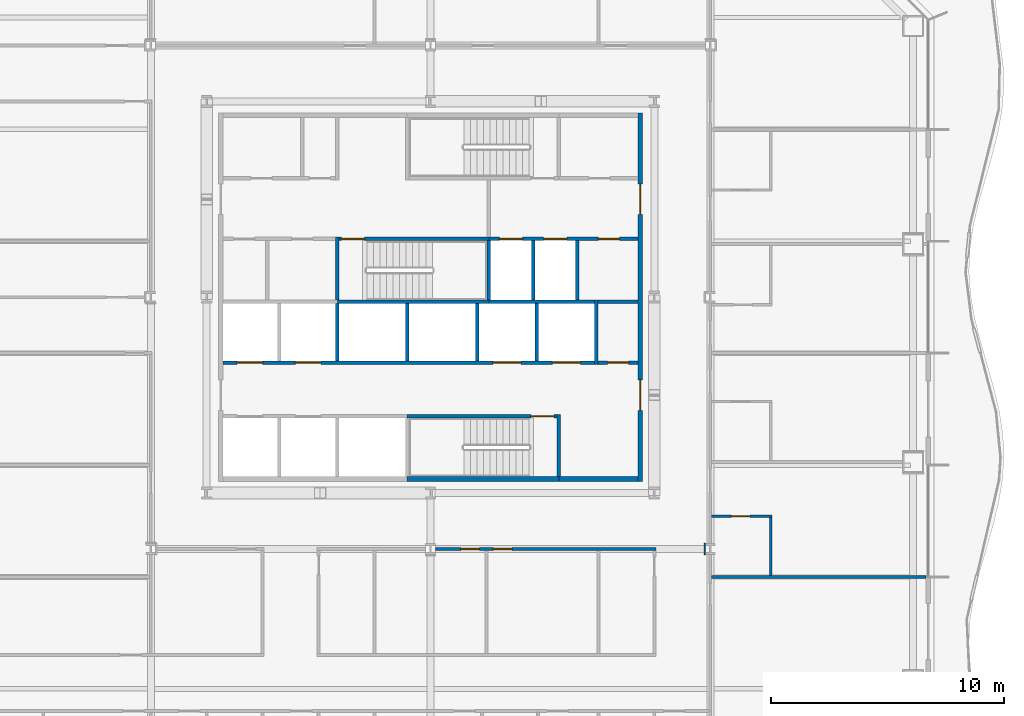
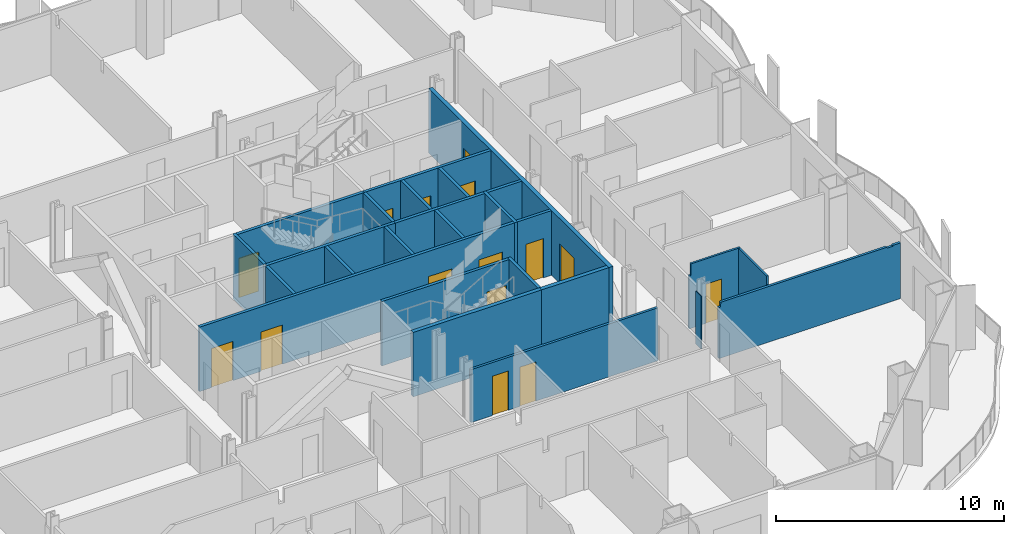
# One storey, part 10 of 20: 26 walls, 15 doors, 15 openings.
"""IFC4 building model written with IfcOpenShell, lengths in metres."""

from ifc_helpers import new_model, si_unit, direction, frame, frame_2d, origin, place, context, subcontext, project, spatial, polyline, rectangle, outline, extrude, material, layer, layer_set, type_object, element, fill, save


model = new_model("IFC4")

# Units and contexts
model_context = context("Model", 3, precision=1e-05, world=origin(), true_north=direction((0.0, 1.0)))
body_context = subcontext(model_context, "Body", "Model", "MODEL_VIEW")
ifc_project = project(units=[si_unit("LENGTHUNIT", "METRE"), si_unit("AREAUNIT", "SQUARE_METRE"), si_unit("VOLUMEUNIT", "CUBIC_METRE"), si_unit("PLANEANGLEUNIT", "RADIAN"), si_unit("MASSUNIT", "GRAM", prefix="KILO")], contexts=[model_context])

# Site, building, storey
site_placement = place(None, origin())
site = spatial("IfcSite", under=ifc_project, at=site_placement, CompositionType="ELEMENT")
building_placement = place(site_placement, origin())
building = spatial("IfcBuilding", under=site, at=building_placement, Name="Cairn Pilgrim Tower", CompositionType="ELEMENT")
storey_placement = place(building_placement, frame((0.0, 0.0, 83.39990234375)))
storey = spatial("IfcBuildingStorey", under=building, at=storey_placement, Name="L19", CompositionType="ELEMENT", Elevation=83.39990234375)

# Wall
ifc_material_1 = material(Name="Concrete C32/40", Category="concrete")
ifc_layer_1 = layer(ifc_material_1, 0.199951171875)
ifc_layer_set_1 = layer_set([ifc_layer_1], Name="CORE OUTER WALL 200 EI 120")
wall_type_1 = type_object("IfcWallType", Name="CORE OUTER WALL 200 EI 120", PredefinedType="SOLIDWALL", material=ifc_layer_set_1)
wall_1_placement = place(storey_placement, frame((12.699951171875, -5.39990234375, 0.0), z_axis=(0.0, 0.0, 1.0), x_axis=(1.0, 0.0, 0.0)))
element("IfcWall", 1, at=wall_1_placement, inside=storey, type_object=wall_type_1, Name="CW:L19:H01-3", PredefinedType="SOLIDWALL", context=body_context, shape_type="SweptSolid", body=[
    extrude(rectangle(XDim=3.400146484375, YDim=0.199951171875, at=frame_2d((1.7001953125, 0.0))), origin(), (0.0, 0.0, 1.0), 3.4501953125),
])

# Wall, openings, doors
wall_2_placement = place(storey_placement, frame((16.199951171875, -5.5, 0.0), z_axis=(0.0, 0.0, 1.0), x_axis=(0.0, 1.0, 0.0)))
wall_2 = element("IfcWall", 2, at=wall_2_placement, inside=storey, type_object=wall_type_1, Name="CW:L19:V33", PredefinedType="SOLIDWALL", context=body_context, shape_type="SweptSolid", body=[
    extrude(rectangle(XDim=15.800048828125, YDim=0.199951171875, at=frame_2d((7.89990234375, 0.0))), origin(), (0.0, 0.0, 1.0), 3.4501953125),
])
opening_1_placement = place(wall_2_placement, frame((3.050048828125, 0.0, 0.0)))
opening_1 = element("IfcOpeningElement", 3, at=opening_1_placement, cuts=wall_2, Name="Opening CD-E1", PredefinedType="OPENING", context=body_context, shape_type="SweptSolid", body=[
    extrude(rectangle(XDim=1.300048828125, YDim=2.10009765625, at=frame_2d((0.64990234375, 1.050048828125))), frame((0.0, 0.10986328125, 0.0), z_axis=(0.0, -1.0, 0.0), x_axis=(1.0, 0.0, 0.0)), (0.0, 0.0, 1.0), 0.219970703125),
])
opening_2_placement = place(wall_2_placement, frame((11.449951171875, 0.0, 0.0)))
opening_2 = element("IfcOpeningElement", 4, at=opening_2_placement, cuts=wall_2, Name="Opening CD-E2", PredefinedType="OPENING", context=body_context, shape_type="SweptSolid", body=[
    extrude(rectangle(XDim=1.300048828125, YDim=2.10009765625, at=frame_2d((0.64990234375, 1.050048828125))), frame((0.0, 0.10986328125, 0.0), z_axis=(0.0, -1.0, 0.0), x_axis=(1.0, 0.0, 0.0)), (0.0, 0.0, 1.0), 0.219970703125),
])
ifc_material_2 = material(Name="Painted steel", Category="steel")
door_type_1 = type_object("IfcDoorType", Name="CORE LOBBY DOOR 1300x2100", OperationType="DOUBLE_DOOR_SINGLE_SWING", PredefinedType="DOOR", material=ifc_material_2)
door_1_placement = place(opening_1_placement, origin())
door_1 = element("IfcDoor", 5, at=door_1_placement, inside=storey, type_object=door_type_1, Name="CD-E1", OperationType="DOUBLE_DOOR_SINGLE_SWING", OverallHeight=2.10009765625, OverallWidth=1.300048828125, PredefinedType="DOOR", context=body_context, shape_type="SweptSolid", body=[
    extrude(rectangle(XDim=1.300048828125, YDim=2.10009765625, at=frame_2d((0.64990234375, 1.050048828125))), frame((0.0, 0.02490234375, 0.0), z_axis=(0.0, -1.0, 0.0), x_axis=(1.0, 0.0, 0.0)), (0.0, 0.0, 1.0), 0.050048828125),
])
fill(opening_1, door_1)
door_2_placement = place(opening_2_placement, origin())
door_2 = element("IfcDoor", 6, at=door_2_placement, inside=storey, type_object=door_type_1, Name="CD-E2", OperationType="DOUBLE_DOOR_SINGLE_SWING", OverallHeight=2.10009765625, OverallWidth=1.300048828125, PredefinedType="DOOR", context=body_context, shape_type="SweptSolid", body=[
    extrude(rectangle(XDim=1.300048828125, YDim=2.10009765625, at=frame_2d((0.64990234375, 1.050048828125))), frame((0.0, 0.02490234375, 0.0), z_axis=(0.0, -1.0, 0.0), x_axis=(1.0, 0.0, 0.0)), (0.0, 0.0, 1.0), 0.050048828125),
])
fill(opening_2, door_2)

# Wall, opening, door
ifc_layer_2 = layer(ifc_material_1, 0.14990234375)
ifc_layer_set_2 = layer_set([ifc_layer_2], Name="CORE PARTITION 150 EI 60")
wall_type_2 = type_object("IfcWallType", Name="CORE PARTITION 150 EI 60", PredefinedType="PARTITIONING", material=ifc_layer_set_2)
wall_3_placement = place(storey_placement, frame((14.375, -0.39990234375, 0.0), z_axis=(0.0, 0.0, 1.0), x_axis=(1.0, 0.0, 0.0)))
wall_3 = element("IfcWall", 7, at=wall_3_placement, inside=storey, type_object=wall_type_2, Name="CW:L19:H04", PredefinedType="PARTITIONING", context=body_context, shape_type="SweptSolid", body=[
    extrude(rectangle(XDim=1.72509765625, YDim=0.14990234375, at=frame_2d((0.862548828125, 0.0))), origin(), (0.0, 0.0, 1.0), 3.4501953125),
])
opening_3_placement = place(wall_3_placement, frame((0.425048828125, 0.0, 0.0)))
opening_3 = element("IfcOpeningElement", 8, at=opening_3_placement, cuts=wall_3, Name="Opening RD-R2E", PredefinedType="OPENING", context=body_context, shape_type="SweptSolid", body=[
    extrude(rectangle(XDim=0.89990234375, YDim=2.10009765625, at=frame_2d((0.449951171875, 1.050048828125))), frame((0.0, 0.0849609375, 0.0), z_axis=(0.0, -1.0, 0.0), x_axis=(1.0, 0.0, 0.0)), (0.0, 0.0, 1.0), 0.169921875),
])
door_type_2 = type_object("IfcDoorType", Name="SERVICE ROOM DOOR 900x2100", OperationType="SINGLE_SWING_LEFT", PredefinedType="DOOR", material=ifc_material_2)
door_3_placement = place(opening_3_placement, origin())
door_3 = element("IfcDoor", 9, at=door_3_placement, inside=storey, type_object=door_type_2, Name="RD-R2E", OperationType="SINGLE_SWING_RIGHT", OverallHeight=2.10009765625, OverallWidth=0.89990234375, PredefinedType="DOOR", context=body_context, shape_type="SweptSolid", body=[
    extrude(rectangle(XDim=0.89990234375, YDim=2.10009765625, at=frame_2d((0.449951171875, 1.050048828125))), frame((0.0, 0.02490234375, 0.0), z_axis=(0.0, -1.0, 0.0), x_axis=(1.0, 0.0, 0.0)), (0.0, 0.0, 1.0), 0.050048828125),
])
fill(opening_3, door_3)

# Wall
wall_4_placement = place(storey_placement, frame((14.375, 2.199951171875, 0.0), z_axis=(0.0, 0.0, 1.0), x_axis=(1.0, 0.0, 0.0)))
element("IfcWall", 10, at=wall_4_placement, inside=storey, type_object=wall_type_2, Name="CW:L19:H06", PredefinedType="PARTITIONING", context=body_context, shape_type="SweptSolid", body=[
    extrude(rectangle(XDim=1.72509765625, YDim=0.14990234375, at=frame_2d((0.862548828125, 0.0))), origin(), (0.0, 0.0, 1.0), 3.4501953125),
])

# Wall, openings, doors
ifc_layer_3 = layer(ifc_material_1, 0.14990234375)
ifc_layer_set_3 = layer_set([ifc_layer_3], Name="CORE SHAFT WALL 150 EI 120")
wall_type_3 = type_object("IfcWallType", Name="CORE SHAFT WALL 150 EI 120", PredefinedType="SOLIDWALL", material=ifc_layer_set_3)
wall_5_placement = place(storey_placement, frame((-1.699951171875, -0.39990234375, 0.0), z_axis=(0.0, 0.0, 1.0), x_axis=(1.0, 0.0, 0.0)))
wall_5 = element("IfcWall", 11, at=wall_5_placement, inside=storey, type_object=wall_type_3, Name="CW:L19:H03", PredefinedType="SOLIDWALL", context=body_context, shape_type="SweptSolid", body=[
    extrude(rectangle(XDim=15.925048828125, YDim=0.14990234375, at=frame_2d((7.96240234375, 0.0))), origin(), (0.0, 0.0, 1.0), 3.4501953125),
])
opening_4_placement = place(wall_5_placement, frame((0.60009765625, 0.0, 0.0)))
opening_4 = element("IfcOpeningElement", 12, at=opening_4_placement, cuts=wall_5, Name="Opening LD-LR3", PredefinedType="OPENING", context=body_context, shape_type="SweptSolid", body=[
    extrude(rectangle(XDim=1.10009765625, YDim=2.10009765625, at=frame_2d((0.550048828125, 1.050048828125))), frame((0.0, 0.0849609375, 0.0), z_axis=(0.0, -1.0, 0.0), x_axis=(1.0, 0.0, 0.0)), (0.0, 0.0, 1.0), 0.169921875),
])
opening_5_placement = place(wall_5_placement, frame((3.10009765625, 0.0, 0.0)))
opening_5 = element("IfcOpeningElement", 13, at=opening_5_placement, cuts=wall_5, Name="Opening LD-LR4", PredefinedType="OPENING", context=body_context, shape_type="SweptSolid", body=[
    extrude(rectangle(XDim=1.10009765625, YDim=2.10009765625, at=frame_2d((0.550048828125, 1.050048828125))), frame((0.0, 0.0849609375, 0.0), z_axis=(0.0, -1.0, 0.0), x_axis=(1.0, 0.0, 0.0)), (0.0, 0.0, 1.0), 0.169921875),
])
opening_6_placement = place(wall_5_placement, frame((11.574951171875, 0.0, 0.0)))
opening_6 = element("IfcOpeningElement", 14, at=opening_6_placement, cuts=wall_5, Name="Opening LD-SV1", PredefinedType="OPENING", context=body_context, shape_type="SweptSolid", body=[
    extrude(rectangle(XDim=1.199951171875, YDim=2.10009765625, at=frame_2d((0.60009765625, 1.050048828125))), frame((0.0, 0.0849609375, 0.0), z_axis=(0.0, -1.0, 0.0), x_axis=(1.0, 0.0, 0.0)), (0.0, 0.0, 1.0), 0.169921875),
])
opening_7_placement = place(wall_5_placement, frame((14.125, 0.0, 0.0)))
opening_7 = element("IfcOpeningElement", 15, at=opening_7_placement, cuts=wall_5, Name="Opening LD-SV2", PredefinedType="OPENING", context=body_context, shape_type="SweptSolid", body=[
    extrude(rectangle(XDim=1.199951171875, YDim=2.10009765625, at=frame_2d((0.60009765625, 1.050048828125))), frame((0.0, 0.0849609375, 0.0), z_axis=(0.0, -1.0, 0.0), x_axis=(1.0, 0.0, 0.0)), (0.0, 0.0, 1.0), 0.169921875),
])
ifc_material_3 = material(Name="Stainless steel", Category="steel")
door_type_3 = type_object("IfcDoorType", Name="LIFT LANDING DOOR 1100x2100", OperationType="DOUBLE_DOOR_SLIDING", PredefinedType="DOOR", material=ifc_material_3)
door_4_placement = place(opening_4_placement, origin())
door_4 = element("IfcDoor", 16, at=door_4_placement, inside=storey, type_object=door_type_3, Name="LANDING DOOR LR3", OperationType="DOUBLE_DOOR_SLIDING", OverallHeight=2.10009765625, OverallWidth=1.10009765625, PredefinedType="DOOR", context=body_context, shape_type="SweptSolid", body=[
    extrude(rectangle(XDim=1.10009765625, YDim=2.10009765625, at=frame_2d((0.550048828125, 1.050048828125))), frame((0.0, 0.02490234375, 0.0), z_axis=(0.0, -1.0, 0.0), x_axis=(1.0, 0.0, 0.0)), (0.0, 0.0, 1.0), 0.050048828125),
])
fill(opening_4, door_4)
door_5_placement = place(opening_5_placement, origin())
door_5 = element("IfcDoor", 17, at=door_5_placement, inside=storey, type_object=door_type_3, Name="LANDING DOOR LR4", OperationType="DOUBLE_DOOR_SLIDING", OverallHeight=2.10009765625, OverallWidth=1.10009765625, PredefinedType="DOOR", context=body_context, shape_type="SweptSolid", body=[
    extrude(rectangle(XDim=1.10009765625, YDim=2.10009765625, at=frame_2d((0.550048828125, 1.050048828125))), frame((0.0, 0.02490234375, 0.0), z_axis=(0.0, -1.0, 0.0), x_axis=(1.0, 0.0, 0.0)), (0.0, 0.0, 1.0), 0.050048828125),
])
fill(opening_5, door_5)
door_type_4 = type_object("IfcDoorType", Name="LIFT LANDING DOOR 1200x2100", OperationType="DOUBLE_DOOR_SLIDING", PredefinedType="DOOR", material=ifc_material_3)
door_6_placement = place(opening_6_placement, origin())
door_6 = element("IfcDoor", 18, at=door_6_placement, inside=storey, type_object=door_type_4, Name="LANDING DOOR SV1", OperationType="DOUBLE_DOOR_SLIDING", OverallHeight=2.10009765625, OverallWidth=1.199951171875, PredefinedType="DOOR", context=body_context, shape_type="SweptSolid", body=[
    extrude(rectangle(XDim=1.199951171875, YDim=2.10009765625, at=frame_2d((0.60009765625, 1.050048828125))), frame((0.0, 0.02490234375, 0.0), z_axis=(0.0, -1.0, 0.0), x_axis=(1.0, 0.0, 0.0)), (0.0, 0.0, 1.0), 0.050048828125),
])
fill(opening_6, door_6)
door_7_placement = place(opening_7_placement, origin())
door_7 = element("IfcDoor", 19, at=door_7_placement, inside=storey, type_object=door_type_4, Name="LANDING DOOR SV2", OperationType="DOUBLE_DOOR_SLIDING", OverallHeight=2.10009765625, OverallWidth=1.199951171875, PredefinedType="DOOR", context=body_context, shape_type="SweptSolid", body=[
    extrude(rectangle(XDim=1.199951171875, YDim=2.10009765625, at=frame_2d((0.60009765625, 1.050048828125))), frame((0.0, 0.02490234375, 0.0), z_axis=(0.0, -1.0, 0.0), x_axis=(1.0, 0.0, 0.0)), (0.0, 0.0, 1.0), 0.050048828125),
])
fill(opening_7, door_7)

# Wall
wall_6_placement = place(storey_placement, frame((9.699951171875, 2.199951171875, 0.0), z_axis=(0.0, 0.0, 1.0), x_axis=(1.0, 0.0, 0.0)))
element("IfcWall", 20, at=wall_6_placement, inside=storey, type_object=wall_type_3, Name="CW:L19:H05-3", PredefinedType="SOLIDWALL", context=body_context, shape_type="SweptSolid", body=[
    extrude(rectangle(XDim=4.525146484375, YDim=0.14990234375, at=frame_2d((2.2626953125, 0.0))), origin(), (0.0, 0.0, 1.0), 3.4501953125),
])

# Wall, openings, doors
wall_7_placement = place(storey_placement, frame((9.699951171875, 4.89990234375, 0.0), z_axis=(0.0, 0.0, 1.0), x_axis=(1.0, 0.0, 0.0)))
wall_7 = element("IfcWall", 21, at=wall_7_placement, inside=storey, type_object=wall_type_3, Name="CW:L19:H08-2", PredefinedType="SOLIDWALL", context=body_context, shape_type="SweptSolid", body=[
    extrude(rectangle(XDim=6.400146484375, YDim=0.14990234375, at=frame_2d((3.2001953125, 0.0))), origin(), (0.0, 0.0, 1.0), 3.4501953125),
])
opening_8_placement = place(wall_7_placement, frame((0.449951171875, 0.0, 0.0)))
opening_8 = element("IfcOpeningElement", 22, at=opening_8_placement, cuts=wall_7, Name="Opening LD-FF1", PredefinedType="OPENING", context=body_context, shape_type="SweptSolid", body=[
    extrude(rectangle(XDim=1.0, YDim=2.10009765625, at=frame_2d((0.5, 1.050048828125))), frame((0.0, 0.0849609375, 0.0), z_axis=(0.0, -1.0, 0.0), x_axis=(1.0, 0.0, 0.0)), (0.0, 0.0, 1.0), 0.169921875),
])
opening_9_placement = place(wall_7_placement, frame((2.35009765625, 0.0, 0.0)))
opening_9 = element("IfcOpeningElement", 23, at=opening_9_placement, cuts=wall_7, Name="Opening LD-FF2", PredefinedType="OPENING", context=body_context, shape_type="SweptSolid", body=[
    extrude(rectangle(XDim=1.0, YDim=2.10009765625, at=frame_2d((0.5, 1.050048828125))), frame((0.0, 0.0849609375, 0.0), z_axis=(0.0, -1.0, 0.0), x_axis=(1.0, 0.0, 0.0)), (0.0, 0.0, 1.0), 0.169921875),
])
opening_10_placement = place(wall_7_placement, frame((4.699951171875, 0.0, 0.0)))
opening_10 = element("IfcOpeningElement", 24, at=opening_10_placement, cuts=wall_7, Name="Opening RD-R3E", PredefinedType="OPENING", context=body_context, shape_type="SweptSolid", body=[
    extrude(rectangle(XDim=0.89990234375, YDim=2.10009765625, at=frame_2d((0.449951171875, 1.050048828125))), frame((0.0, 0.0849609375, 0.0), z_axis=(0.0, -1.0, 0.0), x_axis=(1.0, 0.0, 0.0)), (0.0, 0.0, 1.0), 0.169921875),
])
door_type_5 = type_object("IfcDoorType", Name="LIFT LANDING DOOR FIRE 1000x2100", OperationType="DOUBLE_DOOR_SLIDING", PredefinedType="DOOR", material=ifc_material_3)
door_8_placement = place(opening_8_placement, origin())
door_8 = element("IfcDoor", 25, at=door_8_placement, inside=storey, type_object=door_type_5, Name="LANDING DOOR FF1", OperationType="DOUBLE_DOOR_SLIDING", OverallHeight=2.10009765625, OverallWidth=1.0, PredefinedType="DOOR", context=body_context, shape_type="SweptSolid", body=[
    extrude(rectangle(XDim=1.0, YDim=2.10009765625, at=frame_2d((0.5, 1.050048828125))), frame((0.0, 0.02490234375, 0.0), z_axis=(0.0, -1.0, 0.0), x_axis=(1.0, 0.0, 0.0)), (0.0, 0.0, 1.0), 0.050048828125),
])
fill(opening_8, door_8)
door_9_placement = place(opening_9_placement, origin())
door_9 = element("IfcDoor", 26, at=door_9_placement, inside=storey, type_object=door_type_5, Name="LANDING DOOR FF2", OperationType="DOUBLE_DOOR_SLIDING", OverallHeight=2.10009765625, OverallWidth=1.0, PredefinedType="DOOR", context=body_context, shape_type="SweptSolid", body=[
    extrude(rectangle(XDim=1.0, YDim=2.10009765625, at=frame_2d((0.5, 1.050048828125))), frame((0.0, 0.02490234375, 0.0), z_axis=(0.0, -1.0, 0.0), x_axis=(1.0, 0.0, 0.0)), (0.0, 0.0, 1.0), 0.050048828125),
])
fill(opening_9, door_9)
door_10_placement = place(opening_10_placement, origin())
door_10 = element("IfcDoor", 27, at=door_10_placement, inside=storey, type_object=door_type_2, Name="RD-R3E", OperationType="SINGLE_SWING_LEFT", OverallHeight=2.10009765625, OverallWidth=0.89990234375, PredefinedType="DOOR", context=body_context, shape_type="SweptSolid", body=[
    extrude(rectangle(XDim=0.89990234375, YDim=2.10009765625, at=frame_2d((0.449951171875, 1.050048828125))), frame((0.0, 0.02490234375, 0.0), z_axis=(0.0, -1.0, 0.0), x_axis=(1.0, 0.0, 0.0)), (0.0, 0.0, 1.0), 0.050048828125),
])
fill(opening_10, door_10)

# Walls
for number, where, z_axis, x_axis, name in (
    (28, (3.199951171875, -0.324951171875, 0.0), (0.0, 0.0, 1.0), (0.0, 1.0, 0.0), "CW:L19:V18"),
    (29, (6.199951171875, -0.324951171875, 0.0), (0.0, 0.0, 1.0), (0.0, 1.0, 0.0), "CW:L19:V22"),
    (30, (9.199951171875, -0.324951171875, 0.0), (0.0, 0.0, 1.0), (0.0, 1.0, 0.0), "CW:L19:V24"),
):
    element("IfcWall", number, at=place(storey_placement, frame(where, z_axis=z_axis, x_axis=x_axis)), inside=storey, type_object=wall_type_3, Name=name, PredefinedType="SOLIDWALL", context=body_context, shape_type="SweptSolid", body=[
        extrude(rectangle(XDim=2.449951171875, YDim=0.14990234375, at=frame_2d((1.22509765625, 0.0))), origin(), (0.0, 0.0, 1.0), 3.4501953125),
    ])
wall_8_placement = place(storey_placement, frame((11.60009765625, 2.27490234375, 0.0), z_axis=(0.0, 0.0, 1.0), x_axis=(0.0, 1.0, 0.0)))
element("IfcWall", 31, at=wall_8_placement, inside=storey, type_object=wall_type_3, Name="CW:L19:V27", PredefinedType="SOLIDWALL", context=body_context, shape_type="SweptSolid", body=[
    extrude(rectangle(XDim=2.550048828125, YDim=0.14990234375, at=frame_2d((1.27490234375, 0.0))), origin(), (0.0, 0.0, 1.0), 3.4501953125),
])
wall_9_placement = place(storey_placement, frame((11.75, -0.324951171875, 0.0), z_axis=(0.0, 0.0, 1.0), x_axis=(0.0, 1.0, 0.0)))
element("IfcWall", 32, at=wall_9_placement, inside=storey, type_object=wall_type_3, Name="CW:L19:V28", PredefinedType="SOLIDWALL", context=body_context, shape_type="SweptSolid", body=[
    extrude(rectangle(XDim=2.449951171875, YDim=0.14990234375, at=frame_2d((1.22509765625, 0.0))), origin(), (0.0, 0.0, 1.0), 3.4501953125),
])
wall_10_placement = place(storey_placement, frame((13.5, 2.27490234375, 0.0), z_axis=(0.0, 0.0, 1.0), x_axis=(0.0, 1.0, 0.0)))
element("IfcWall", 33, at=wall_10_placement, inside=storey, type_object=wall_type_3, Name="CW:L19:V31", PredefinedType="SOLIDWALL", context=body_context, shape_type="SweptSolid", body=[
    extrude(rectangle(XDim=2.550048828125, YDim=0.14990234375, at=frame_2d((1.27490234375, 0.0))), origin(), (0.0, 0.0, 1.0), 3.4501953125),
])
wall_11_placement = place(storey_placement, frame((14.300048828125, -0.47509765625, 0.0), z_axis=(0.0, 0.0, 1.0), x_axis=(0.0, 1.0, 0.0)))
element("IfcWall", 34, at=wall_11_placement, inside=storey, type_object=wall_type_3, Name="CW:L19:V32", PredefinedType="SOLIDWALL", context=body_context, shape_type="SweptSolid", body=[
    extrude(rectangle(XDim=2.75, YDim=0.14990234375, at=frame_2d((1.375, 0.0))), origin(), (0.0, 0.0, 1.0), 3.4501953125),
])
ifc_material_4 = material(Name="Gypsum partition")
ifc_layer_4 = layer(ifc_material_4, 0.10009765625)
ifc_layer_set_4 = layer_set([ifc_layer_4], Name="PARTITION 100 DRYWALL")
wall_type_4 = type_object("IfcWallType", Name="PARTITION 100 DRYWALL", PredefinedType="PARTITIONING", material=ifc_layer_set_4)
wall_12_placement = place(storey_placement, frame((21.800048828125, -9.53759765625, 0.0), z_axis=(0.0, 0.0, 1.0), x_axis=(0.0, 1.0, 0.0)))
element("IfcWall", 35, at=wall_12_placement, inside=storey, type_object=wall_type_4, Name="PARTITION W039", PredefinedType="PARTITIONING", context=body_context, shape_type="SweptSolid", body=[
    extrude(outline(polyline([(0.0, 0.0), (2.487548828125, 0.0), (2.487548828125, 3.4501953125), (0.032470703125, 3.4501953125), (0.030517578125, 2.97998046875), (0.0, 2.97998046875), (0.0, 0.0)])), frame((0.0, 0.050048828125, 0.0), z_axis=(0.0, -1.0, 0.0), x_axis=(1.0, 0.0, 0.0)), (0.0, 0.0, 1.0), 0.10009765625),
])

# Wall, opening, door
wall_13_placement = place(storey_placement, frame((19.262451171875, -7.0, 0.0), z_axis=(0.0, 0.0, 1.0), x_axis=(1.0, 0.0, 0.0)))
wall_13 = element("IfcWall", 36, at=wall_13_placement, inside=storey, type_object=wall_type_4, Name="PARTITION W048", PredefinedType="PARTITIONING", context=body_context, shape_type="SweptSolid", body=[
    extrude(outline(polyline([(0.0, 0.0), (2.587646484375, 0.0), (2.58740234375, 3.4501953125), (0.08740234375, 3.4501953125), (0.08544921875, 2.830078125), (0.0, 2.830078125), (0.0, 0.0)])), frame((0.0, 0.050048828125, 0.0), z_axis=(0.0, -1.0, 0.0), x_axis=(1.0, 0.0, 0.0)), (0.0, 0.0, 1.0), 0.10009765625),
])
opening_11_placement = place(wall_13_placement, frame((0.83740234375, 0.0, 0.0)))
opening_11 = element("IfcOpeningElement", 37, at=opening_11_placement, cuts=wall_13, Name="Opening 1921E", PredefinedType="OPENING", context=body_context, shape_type="SweptSolid", body=[
    extrude(rectangle(XDim=0.800048828125, YDim=2.10009765625, at=frame_2d((0.39990234375, 1.050048828125))), frame((0.0, 0.06005859375, 0.0), z_axis=(0.0, -1.0, 0.0), x_axis=(1.0, 0.0, 0.0)), (0.0, 0.0, 1.0), 0.1201171875),
])
ifc_material_5 = material(Name="Timber door leaf", Category="wood")
door_type_6 = type_object("IfcDoorType", Name="DOOR 800x2100", OperationType="NOTDEFINED", PredefinedType="DOOR", material=ifc_material_5)
door_11_placement = place(opening_11_placement, frame((0.800048828125, 0.0, 0.0), z_axis=(0.0, 0.0, 1.0), x_axis=(-1.0, 0.0, 0.0)))
door_11 = element("IfcDoor", 38, at=door_11_placement, inside=storey, type_object=door_type_6, Name="DOOR 1921E", OperationType="SINGLE_SWING_LEFT", OverallHeight=2.10009765625, OverallWidth=0.800048828125, PredefinedType="DOOR", context=body_context, shape_type="SweptSolid", body=[
    extrude(rectangle(XDim=0.800048828125, YDim=2.10009765625, at=frame_2d((0.39990234375, 1.050048828125))), frame((0.0, 0.02490234375, 0.0), z_axis=(0.0, -1.0, 0.0), x_axis=(1.0, 0.0, 0.0)), (0.0, 0.0, 1.0), 0.050048828125),
])
fill(opening_11, door_11)

# Wall
ifc_layer_5 = layer(ifc_material_4, 0.125)
ifc_layer_set_5 = layer_set([ifc_layer_5], Name="PARTITION 125 DRYWALL EI 60")
wall_type_5 = type_object("IfcWallType", Name="PARTITION 125 DRYWALL EI 60", PredefinedType="PARTITIONING", material=ifc_layer_set_5)
wall_14_placement = place(storey_placement, frame((19.262451171875, -9.60009765625, 0.0), z_axis=(0.0, 0.0, 1.0), x_axis=(1.0, 0.0, 0.0)))
element("IfcWall", 39, at=wall_14_placement, inside=storey, type_object=wall_type_5, Name="PARTITION W038", PredefinedType="PARTITIONING", context=body_context, shape_type="SweptSolid", body=[
    extrude(outline(polyline([(0.0, 0.0), (9.1875, 0.0), (9.1875, 2.97998046875), (8.78759765625, 2.97998046875), (8.785400390625, 2.93017578125), (8.487548828125, 2.93017578125), (8.485595703125, 2.97998046875), (0.08740234375, 2.97998046875), (0.08544921875, 2.72998046875), (0.0, 2.72998046875), (0.0, 0.0)])), frame((0.0, 0.0625, 0.0), z_axis=(0.0, -1.0, 0.0), x_axis=(1.0, 0.0, 0.0)), (0.0, 0.0, 1.0), 0.125),
])

# Wall, openings, doors
wall_15_placement = place(storey_placement, frame((7.412109375, -8.39990234375, 0.0), z_axis=(0.0, 0.0, 1.0), x_axis=(1.0, 0.0, 0.0)))
wall_15 = element("IfcWall", 40, at=wall_15_placement, inside=storey, type_object=wall_type_5, Name="PARTITION W043", PredefinedType="PARTITIONING", context=body_context, shape_type="SweptSolid", body=[
    extrude(rectangle(XDim=9.450439453125, YDim=0.125, at=frame_2d((4.72509765625, 0.0))), origin(), (0.0, 0.0, 1.0), 2.830078125),
])
opening_12_placement = place(wall_15_placement, frame((1.087890625, 0.0, 0.0)))
opening_12 = element("IfcOpeningElement", 41, at=opening_12_placement, cuts=wall_15, Name="Opening 1935", PredefinedType="OPENING", context=body_context, shape_type="SweptSolid", body=[
    extrude(rectangle(XDim=0.800048828125, YDim=2.10009765625, at=frame_2d((0.39990234375, 1.050048828125))), frame((0.0, 0.072509765625, 0.0), z_axis=(0.0, -1.0, 0.0), x_axis=(1.0, 0.0, 0.0)), (0.0, 0.0, 1.0), 0.14501953125),
])
opening_13_placement = place(wall_15_placement, frame((2.488037109375, 0.0, 0.0)))
opening_13 = element("IfcOpeningElement", 42, at=opening_13_placement, cuts=wall_15, Name="Opening 1936", PredefinedType="OPENING", context=body_context, shape_type="SweptSolid", body=[
    extrude(rectangle(XDim=0.800048828125, YDim=2.10009765625, at=frame_2d((0.39990234375, 1.050048828125))), frame((0.0, 0.072509765625, 0.0), z_axis=(0.0, -1.0, 0.0), x_axis=(1.0, 0.0, 0.0)), (0.0, 0.0, 1.0), 0.14501953125),
])
ifc_material_6 = material(Name="Steel-faced fire door leaf", Category="steel")
door_type_7 = type_object("IfcDoorType", Name="FIRE DOOR 800x2100 FD30S", OperationType="NOTDEFINED", PredefinedType="DOOR", material=ifc_material_6)
door_12_placement = place(opening_12_placement, frame((0.800048828125, 0.0, 0.0), z_axis=(0.0, 0.0, 1.0), x_axis=(-1.0, 0.0, 0.0)))
door_12 = element("IfcDoor", 43, at=door_12_placement, inside=storey, type_object=door_type_7, Name="DOOR 1935", OperationType="SINGLE_SWING_RIGHT", OverallHeight=2.10009765625, OverallWidth=0.800048828125, PredefinedType="DOOR", context=body_context, shape_type="SweptSolid", body=[
    extrude(rectangle(XDim=0.800048828125, YDim=2.10009765625, at=frame_2d((0.39990234375, 1.050048828125))), frame((0.0, 0.02490234375, 0.0), z_axis=(0.0, -1.0, 0.0), x_axis=(1.0, 0.0, 0.0)), (0.0, 0.0, 1.0), 0.050048828125),
])
fill(opening_12, door_12)
door_13_placement = place(opening_13_placement, frame((0.800048828125, 0.0, 0.0), z_axis=(0.0, 0.0, 1.0), x_axis=(-1.0, 0.0, 0.0)))
door_13 = element("IfcDoor", 44, at=door_13_placement, inside=storey, type_object=door_type_7, Name="DOOR 1936", OperationType="SINGLE_SWING_LEFT", OverallHeight=2.10009765625, OverallWidth=0.800048828125, PredefinedType="DOOR", context=body_context, shape_type="SweptSolid", body=[
    extrude(rectangle(XDim=0.800048828125, YDim=2.10009765625, at=frame_2d((0.39990234375, 1.050048828125))), frame((0.0, 0.02490234375, 0.0), z_axis=(0.0, -1.0, 0.0), x_axis=(1.0, 0.0, 0.0)), (0.0, 0.0, 1.0), 0.050048828125),
])
fill(opening_13, door_13)

# Wall
ifc_layer_6 = layer(ifc_material_4, 0.050048828125)
ifc_layer_set_6 = layer_set([ifc_layer_6], Name="PARTITION 50 DRYWALL EI 60")
wall_type_6 = type_object("IfcWallType", Name="PARTITION 50 DRYWALL EI 60", PredefinedType="PARTITIONING", material=ifc_layer_set_6)
wall_16_placement = place(storey_placement, frame((18.962890625, -8.636962890625, 0.0), z_axis=(0.0, 0.0, 1.0), x_axis=(0.0, 1.0, 0.0)))
element("IfcWall", 45, at=wall_16_placement, inside=storey, type_object=wall_type_6, Name="COLUMN CASING WC09", PredefinedType="PARTITIONING", context=body_context, shape_type="SweptSolid", body=[
    extrude(rectangle(XDim=0.473876953125, YDim=0.050048828125, at=frame_2d((0.23681640625, 0.0))), origin(), (0.0, 0.0, 1.0), 2.830078125),
])

# Wall, opening, door
ifc_material_7 = material(Name="Concrete C35/45", Category="concrete")
ifc_layer_7 = layer(ifc_material_7, 0.14990234375)
ifc_layer_set_7 = layer_set([ifc_layer_7], Name="STAIR SHAFT WALL 150 EI 120")
wall_type_7 = type_object("IfcWallType", Name="STAIR SHAFT WALL 150 EI 120", PredefinedType="SOLIDWALL", material=ifc_layer_set_7)
wall_17_placement = place(storey_placement, frame((6.199951171875, -2.699951171875, 0.0), z_axis=(0.0, 0.0, 1.0), x_axis=(1.0, 0.0, 0.0)))
wall_17 = element("IfcWall", 46, at=wall_17_placement, inside=storey, type_object=wall_type_7, Name="CW:L19:H02-2", PredefinedType="SOLIDWALL", context=body_context, shape_type="SweptSolid", body=[
    extrude(rectangle(XDim=6.425048828125, YDim=0.14990234375, at=frame_2d((3.21240234375, 0.0))), origin(), (0.0, 0.0, 1.0), 3.4501953125),
])
opening_14_placement = place(wall_17_placement, frame((5.300048828125, 0.0, 0.0)))
opening_14 = element("IfcOpeningElement", 47, at=opening_14_placement, cuts=wall_17, Name="Opening SD-A", PredefinedType="OPENING", context=body_context, shape_type="SweptSolid", body=[
    extrude(rectangle(XDim=1.0, YDim=2.10009765625, at=frame_2d((0.5, 1.050048828125))), frame((0.0, 0.0849609375, 0.0), z_axis=(0.0, -1.0, 0.0), x_axis=(1.0, 0.0, 0.0)), (0.0, 0.0, 1.0), 0.169921875),
])
door_type_8 = type_object("IfcDoorType", Name="STAIR DOOR FD60S 1000x2100", OperationType="SINGLE_SWING_LEFT", PredefinedType="DOOR", material=ifc_material_2)
door_14_placement = place(opening_14_placement, origin())
door_14 = element("IfcDoor", 48, at=door_14_placement, inside=storey, type_object=door_type_8, Name="SD-A", OperationType="SINGLE_SWING_LEFT", OverallHeight=2.10009765625, OverallWidth=1.0, PredefinedType="DOOR", context=body_context, shape_type="SweptSolid", body=[
    extrude(rectangle(XDim=1.0, YDim=2.10009765625, at=frame_2d((0.5, 1.050048828125))), frame((0.0, 0.02490234375, 0.0), z_axis=(0.0, -1.0, 0.0), x_axis=(1.0, 0.0, 0.0)), (0.0, 0.0, 1.0), 0.050048828125),
])
fill(opening_14, door_14)

# Wall
wall_18_placement = place(storey_placement, frame((3.199951171875, 2.199951171875, 0.0), z_axis=(0.0, 0.0, 1.0), x_axis=(1.0, 0.0, 0.0)))
element("IfcWall", 49, at=wall_18_placement, inside=storey, type_object=wall_type_7, Name="CW:L19:H05-2", PredefinedType="SOLIDWALL", context=body_context, shape_type="SweptSolid", body=[
    extrude(rectangle(XDim=6.5, YDim=0.14990234375, at=frame_2d((3.25, 0.0))), origin(), (0.0, 0.0, 1.0), 3.4501953125),
])

# Wall, opening, door
wall_19_placement = place(storey_placement, frame((3.27490234375, 4.89990234375, 0.0), z_axis=(0.0, 0.0, 1.0), x_axis=(1.0, 0.0, 0.0)))
wall_19 = element("IfcWall", 50, at=wall_19_placement, inside=storey, type_object=wall_type_7, Name="CW:L19:H08-1", PredefinedType="SOLIDWALL", context=body_context, shape_type="SweptSolid", body=[
    extrude(rectangle(XDim=6.425048828125, YDim=0.14990234375, at=frame_2d((3.21240234375, 0.0))), origin(), (0.0, 0.0, 1.0), 3.4501953125),
])
opening_15_placement = place(wall_19_placement, frame((0.10009765625, 0.0, 0.0)))
opening_15 = element("IfcOpeningElement", 51, at=opening_15_placement, cuts=wall_19, Name="Opening SD-B", PredefinedType="OPENING", context=body_context, shape_type="SweptSolid", body=[
    extrude(rectangle(XDim=1.0, YDim=2.10009765625, at=frame_2d((0.5, 1.050048828125))), frame((0.0, 0.0849609375, 0.0), z_axis=(0.0, -1.0, 0.0), x_axis=(1.0, 0.0, 0.0)), (0.0, 0.0, 1.0), 0.169921875),
])
door_15_placement = place(opening_15_placement, origin())
door_15 = element("IfcDoor", 52, at=door_15_placement, inside=storey, type_object=door_type_8, Name="SD-B", OperationType="SINGLE_SWING_RIGHT", OverallHeight=2.10009765625, OverallWidth=1.0, PredefinedType="DOOR", context=body_context, shape_type="SweptSolid", body=[
    extrude(rectangle(XDim=1.0, YDim=2.10009765625, at=frame_2d((0.5, 1.050048828125))), frame((0.0, 0.02490234375, 0.0), z_axis=(0.0, -1.0, 0.0), x_axis=(1.0, 0.0, 0.0)), (0.0, 0.0, 1.0), 0.050048828125),
])
fill(opening_15, door_15)

# Walls
wall_20_placement = place(storey_placement, frame((3.199951171875, 2.27490234375, 0.0), z_axis=(0.0, 0.0, 1.0), x_axis=(0.0, 1.0, 0.0)))
element("IfcWall", 53, at=wall_20_placement, inside=storey, type_object=wall_type_7, Name="CW:L19:V19", PredefinedType="SOLIDWALL", context=body_context, shape_type="SweptSolid", body=[
    extrude(rectangle(XDim=2.7001953125, YDim=0.14990234375, at=frame_2d((1.35009765625, 0.0))), origin(), (0.0, 0.0, 1.0), 3.4501953125),
])
wall_21_placement = place(storey_placement, frame((9.699951171875, 2.27490234375, 0.0), z_axis=(0.0, 0.0, 1.0), x_axis=(0.0, 1.0, 0.0)))
element("IfcWall", 54, at=wall_21_placement, inside=storey, type_object=wall_type_7, Name="CW:L19:V25", PredefinedType="SOLIDWALL", context=body_context, shape_type="SweptSolid", body=[
    extrude(rectangle(XDim=2.550048828125, YDim=0.14990234375, at=frame_2d((1.27490234375, 0.0))), origin(), (0.0, 0.0, 1.0), 3.4501953125),
])
wall_22_placement = place(storey_placement, frame((12.699951171875, -5.300048828125, 0.0), z_axis=(0.0, 0.0, 1.0), x_axis=(0.0, 1.0, 0.0)))
element("IfcWall", 55, at=wall_22_placement, inside=storey, type_object=wall_type_7, Name="CW:L19:V29", PredefinedType="SOLIDWALL", context=body_context, shape_type="SweptSolid", body=[
    extrude(rectangle(XDim=2.675048828125, YDim=0.14990234375, at=frame_2d((1.33740234375, 0.0))), origin(), (0.0, 0.0, 1.0), 3.4501953125),
])
ifc_layer_8 = layer(ifc_material_7, 0.199951171875)
ifc_layer_set_8 = layer_set([ifc_layer_8], Name="STAIR SHAFT WALL 200 EI 120")
wall_type_8 = type_object("IfcWallType", Name="STAIR SHAFT WALL 200 EI 120", PredefinedType="SOLIDWALL", material=ifc_layer_set_8)
wall_23_placement = place(storey_placement, frame((6.199951171875, -5.39990234375, 0.0), z_axis=(0.0, 0.0, 1.0), x_axis=(1.0, 0.0, 0.0)))
element("IfcWall", 56, at=wall_23_placement, inside=storey, type_object=wall_type_8, Name="CW:L19:H01-2", PredefinedType="SOLIDWALL", context=body_context, shape_type="SweptSolid", body=[
    extrude(rectangle(XDim=6.5, YDim=0.199951171875, at=frame_2d((3.25, 0.0))), origin(), (0.0, 0.0, 1.0), 3.4501953125),
])

save(model, "model.ifc")
